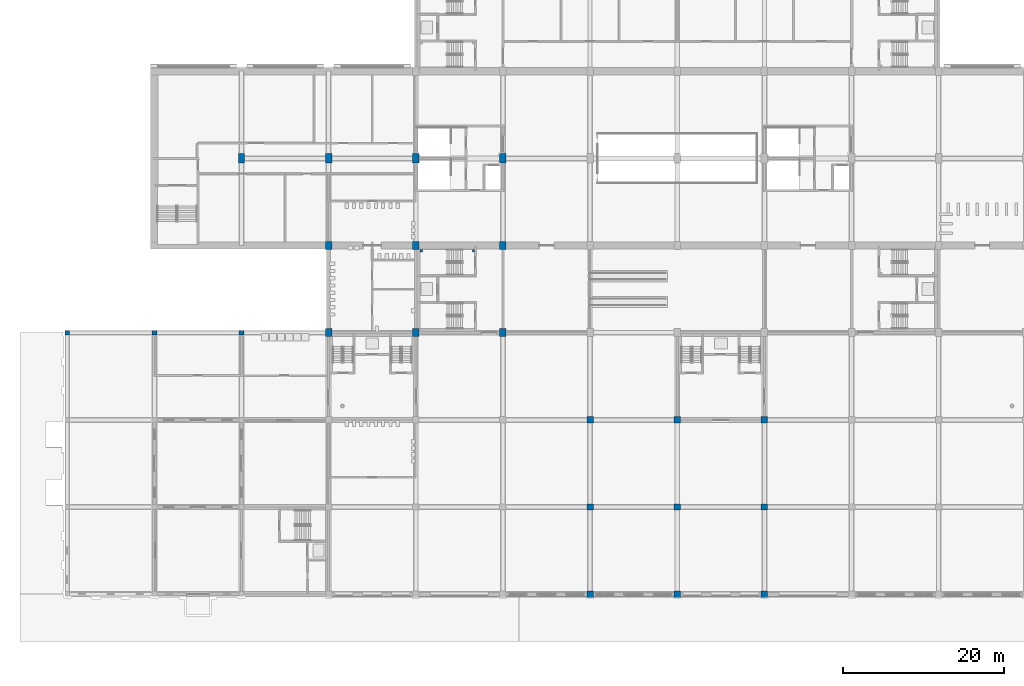
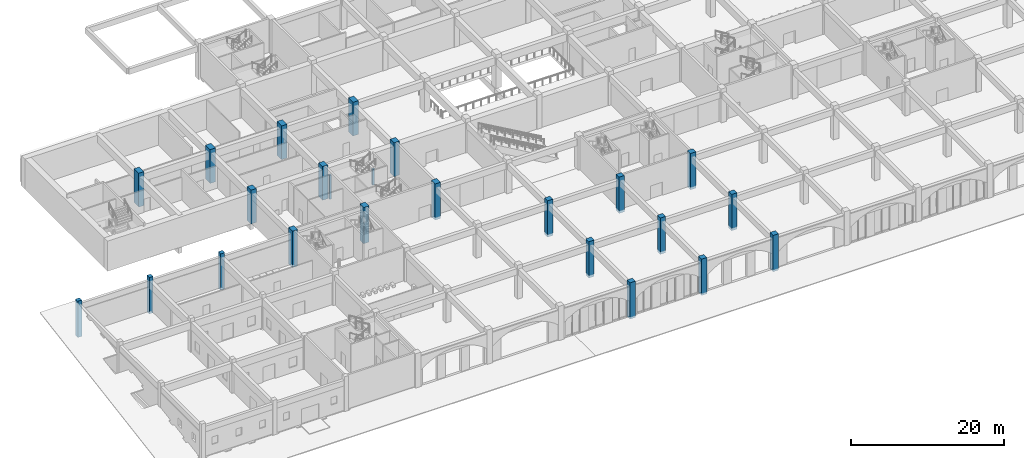
# One storey, part 3 of 101: 24 columns.
"""IFC4 building model written with IfcOpenShell, lengths in metres."""

from ifc_helpers import new_model, si_unit, direction, frame, origin, origin_2d, place, context, subcontext, project, spatial, rectangle, extrude, material, material_profile, profile_set, type_object, element, save


model = new_model("IFC4")

# Units and contexts
model_context = context("Model", 3, precision=1e-05, world=origin(), true_north=direction((0.0, 1.0)))
body_context = subcontext(model_context, "Body", "Model", "MODEL_VIEW")
ifc_project = project(units=[si_unit("LENGTHUNIT", "METRE"), si_unit("AREAUNIT", "SQUARE_METRE"), si_unit("VOLUMEUNIT", "CUBIC_METRE"), si_unit("PLANEANGLEUNIT", "RADIAN"), si_unit("MASSUNIT", "GRAM", prefix="KILO")], contexts=[model_context])

# Site, building, storey
site_placement = place(None, origin())
site = spatial("IfcSite", under=ifc_project, at=site_placement, CompositionType="ELEMENT")
building_placement = place(site_placement, origin())
building = spatial("IfcBuilding", under=site, at=building_placement, Name="Magnolia Steps Interchange", CompositionType="ELEMENT")
storey_placement = place(building_placement, frame((0.0, 0.0, -5.39990234375)))
storey = spatial("IfcBuildingStorey", under=building, at=storey_placement, Name="B1", CompositionType="ELEMENT", Elevation=-5.39990234375)

# Columns
ifc_material_1 = material(Name="Concrete C40", Category="concrete")
ifc_material_profile_1 = material_profile(ifc_material_1, rectangle(XDim=0.60009765625, YDim=0.60009765625, at=origin_2d()), Name="RC600x600")
ifc_profile_set_1 = profile_set([ifc_material_profile_1], Name="Concrete C40")
column_type_1 = type_object("IfcColumnType", Name="RC column 600x600", PredefinedType="COLUMN", material=ifc_profile_set_1)
for number, where, z_axis, x_axis, name in (
    (1, (10.0, 42.39990234375, -0.400146484375), (0.0, 0.0, 1.0), (1.0, 0.0, 0.0), "Column CYC-1D B1"),
    (2, (20.800048828125, 42.39990234375, -0.400146484375), (0.0, 0.0, 1.0), (1.0, 0.0, 0.0), "Column CYC-2D B1"),
    (3, (31.60009765625, 42.39990234375, -0.400146484375), (0.0, 0.0, 1.0), (1.0, 0.0, 0.0), "Column CYC-3D B1"),
):
    element("IfcColumn", number, at=place(storey_placement, frame(where, z_axis=z_axis, x_axis=x_axis)), inside=storey, type_object=column_type_1, Name=name, PredefinedType="COLUMN", context=body_context, shape_type="SweptSolid", body=[
        extrude(rectangle(XDim=0.60009765625, YDim=0.60009765625, at=origin_2d()), origin(), (0.0, 0.0, 1.0), 5.800048828125),
    ])
ifc_material_2 = material(Name="Concrete C40", Category="concrete")
ifc_material_profile_2 = material_profile(ifc_material_2, rectangle(XDim=0.800048828125, YDim=1.0, at=origin_2d()), Name="RC800x1000")
ifc_profile_set_2 = profile_set([ifc_material_profile_2], Name="Concrete C40")
column_type_2 = type_object("IfcColumnType", Name="RC column 800x1000", PredefinedType="COLUMN", material=ifc_profile_set_2)
column_1_placement = place(storey_placement, frame((42.39990234375, 42.39990234375, -0.400146484375), z_axis=(0.0, 0.0, 1.0), x_axis=(1.0, 0.0, 0.0)))
element("IfcColumn", 4, at=column_1_placement, inside=storey, type_object=column_type_2, Name="Column CON-4D B1", PredefinedType="COLUMN", context=body_context, shape_type="SweptSolid", body=[
    extrude(rectangle(XDim=0.800048828125, YDim=1.0, at=origin_2d()), origin(), (0.0, 0.0, 1.0), 5.800048828125),
])
column_2_placement = place(storey_placement, frame((42.39990234375, 53.199951171875, 0.0), z_axis=(0.0, 0.0, 1.0), x_axis=(1.0, 0.0, 0.0)))
element("IfcColumn", 5, at=column_2_placement, inside=storey, type_object=column_type_2, Name="Column CON-4E B1", PredefinedType="COLUMN", context=body_context, shape_type="SweptSolid", body=[
    extrude(rectangle(XDim=0.800048828125, YDim=1.0, at=origin_2d()), origin(), (0.0, 0.0, 1.0), 5.39990234375),
])
column_3_placement = place(storey_placement, frame((53.199951171875, 42.39990234375, -0.400146484375), z_axis=(0.0, 0.0, 1.0), x_axis=(1.0, 0.0, 0.0)))
element("IfcColumn", 6, at=column_3_placement, inside=storey, type_object=column_type_2, Name="Column CON-5D B1", PredefinedType="COLUMN", context=body_context, shape_type="SweptSolid", body=[
    extrude(rectangle(XDim=0.800048828125, YDim=1.0, at=origin_2d()), origin(), (0.0, 0.0, 1.0), 5.800048828125),
])
column_4_placement = place(storey_placement, frame((53.199951171875, 53.199951171875, 0.0), z_axis=(0.0, 0.0, 1.0), x_axis=(1.0, 0.0, 0.0)))
element("IfcColumn", 7, at=column_4_placement, inside=storey, type_object=column_type_2, Name="Column CON-5E B1", PredefinedType="COLUMN", context=body_context, shape_type="SweptSolid", body=[
    extrude(rectangle(XDim=0.800048828125, YDim=1.0, at=origin_2d()), origin(), (0.0, 0.0, 1.0), 5.39990234375),
])
column_5_placement = place(storey_placement, frame((64.0, 42.39990234375, -0.400146484375), z_axis=(0.0, 0.0, 1.0), x_axis=(1.0, 0.0, 0.0)))
element("IfcColumn", 8, at=column_5_placement, inside=storey, type_object=column_type_2, Name="Column CON-6D B1", PredefinedType="COLUMN", context=body_context, shape_type="SweptSolid", body=[
    extrude(rectangle(XDim=0.800048828125, YDim=1.0, at=origin_2d()), origin(), (0.0, 0.0, 1.0), 5.800048828125),
])
column_6_placement = place(storey_placement, frame((64.0, 53.199951171875, 0.0), z_axis=(0.0, 0.0, 1.0), x_axis=(1.0, 0.0, 0.0)))
element("IfcColumn", 9, at=column_6_placement, inside=storey, type_object=column_type_2, Name="Column CON-6E B1", PredefinedType="COLUMN", context=body_context, shape_type="SweptSolid", body=[
    extrude(rectangle(XDim=0.800048828125, YDim=1.0, at=origin_2d()), origin(), (0.0, 0.0, 1.0), 5.39990234375),
])
ifc_material_3 = material(Name="Concrete C40", Category="concrete")
ifc_material_profile_3 = material_profile(ifc_material_3, rectangle(XDim=0.800048828125, YDim=1.199951171875, at=origin_2d()), Name="RC800x1200")
ifc_profile_set_3 = profile_set([ifc_material_profile_3], Name="Concrete C40")
column_type_3 = type_object("IfcColumnType", Name="RC column 800x1200", PredefinedType="COLUMN", material=ifc_profile_set_3)
for number, where, z_axis, x_axis, name in (
    (10, (31.60009765625, 64.0, 0.0), (0.0, 0.0, 1.0), (1.0, 0.0, 0.0), "Column MET-3F B1"),
    (11, (42.39990234375, 64.0, 0.0), (0.0, 0.0, 1.0), (1.0, 0.0, 0.0), "Column MET-4F B1"),
    (12, (53.199951171875, 64.0, 0.0), (0.0, 0.0, 1.0), (1.0, 0.0, 0.0), "Column MET-5F B1"),
    (13, (64.0, 64.0, 0.0), (0.0, 0.0, 1.0), (1.0, 0.0, 0.0), "Column MET-6F B1"),
):
    element("IfcColumn", number, at=place(storey_placement, frame(where, z_axis=z_axis, x_axis=x_axis)), inside=storey, type_object=column_type_3, Name=name, PredefinedType="COLUMN", context=body_context, shape_type="SweptSolid", body=[
        extrude(rectangle(XDim=0.800048828125, YDim=1.199951171875, at=origin_2d()), origin(), (0.0, 0.0, 1.0), 5.39990234375),
    ])
ifc_material_4 = material(Name="Concrete C40", Category="concrete")
ifc_material_profile_4 = material_profile(ifc_material_4, rectangle(XDim=0.800048828125, YDim=0.800048828125, at=origin_2d()), Name="RC800x800")
ifc_profile_set_4 = profile_set([ifc_material_profile_4], Name="Concrete C40")
column_type_4 = type_object("IfcColumnType", Name="RC column 800x800", PredefinedType="COLUMN", material=ifc_profile_set_4)
for number, where, z_axis, x_axis, name in (
    (14, (74.800048828125, 10.0, -0.400146484375), (0.0, 0.0, 1.0), (1.0, 0.0, 0.0), "Column COV-7A B1"),
    (15, (74.800048828125, 20.800048828125, -0.400146484375), (0.0, 0.0, 1.0), (1.0, 0.0, 0.0), "Column COV-7B B1"),
    (16, (74.800048828125, 31.60009765625, -0.400146484375), (0.0, 0.0, 1.0), (1.0, 0.0, 0.0), "Column COV-7C B1"),
    (17, (85.60009765625, 10.0, -0.400146484375), (0.0, 0.0, 1.0), (1.0, 0.0, 0.0), "Column COV-8A B1"),
    (18, (85.60009765625, 20.800048828125, -0.400146484375), (0.0, 0.0, 1.0), (1.0, 0.0, 0.0), "Column COV-8B B1"),
    (19, (85.60009765625, 31.60009765625, -0.400146484375), (0.0, 0.0, 1.0), (1.0, 0.0, 0.0), "Column COV-8C B1"),
    (20, (96.39990234375, 10.0, -0.400146484375), (0.0, 0.0, 1.0), (1.0, 0.0, 0.0), "Column COV-9A B1"),
    (21, (96.39990234375, 20.800048828125, -0.400146484375), (0.0, 0.0, 1.0), (1.0, 0.0, 0.0), "Column COV-9B B1"),
    (22, (96.39990234375, 31.60009765625, -0.400146484375), (0.0, 0.0, 1.0), (1.0, 0.0, 0.0), "Column COV-9C B1"),
):
    element("IfcColumn", number, at=place(storey_placement, frame(where, z_axis=z_axis, x_axis=x_axis)), inside=storey, type_object=column_type_4, Name=name, PredefinedType="COLUMN", context=body_context, shape_type="SweptSolid", body=[
        extrude(rectangle(XDim=0.800048828125, YDim=0.800048828125, at=origin_2d()), origin(), (0.0, 0.0, 1.0), 5.800048828125),
    ])
ifc_material_5 = material(Name="Concrete C40", Category="concrete")
ifc_material_profile_5 = material_profile(ifc_material_5, rectangle(XDim=0.300048828125, YDim=0.300048828125, at=origin_2d()), Name="RC300x300")
ifc_profile_set_5 = profile_set([ifc_material_profile_5], Name="Concrete C40")
column_type_5 = type_object("IfcColumnType", Name="Stair landing post 300", PredefinedType="COLUMN", material=ifc_profile_set_5)
column_7_placement = place(storey_placement, frame((53.85009765625, 52.550048828125, 0.0), z_axis=(0.0, 0.0, 1.0), x_axis=(1.0, 0.0, 0.0)))
element("IfcColumn", 23, at=column_7_placement, inside=storey, type_object=column_type_5, Name="HC3 stair landing post", PredefinedType="COLUMN", context=body_context, shape_type="SweptSolid", body=[
    extrude(rectangle(XDim=0.300048828125, YDim=0.300048828125, at=origin_2d()), origin(), (0.0, 0.0, 1.0), 3.849853515625),
])
column_8_placement = place(storey_placement, frame((60.35009765625, 52.550048828125, 0.0), z_axis=(0.0, 0.0, 1.0), x_axis=(1.0, 0.0, 0.0)))
element("IfcColumn", 24, at=column_8_placement, inside=storey, type_object=column_type_5, Name="HC3 stair landing post", PredefinedType="COLUMN", context=body_context, shape_type="SweptSolid", body=[
    extrude(rectangle(XDim=0.300048828125, YDim=0.300048828125, at=origin_2d()), origin(), (0.0, 0.0, 1.0), 2.5),
])

save(model, "model.ifc")
